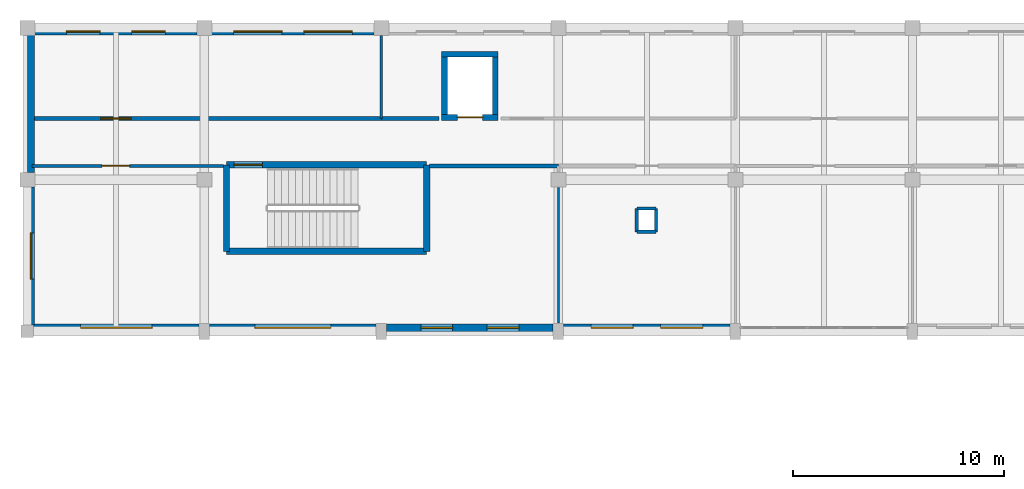
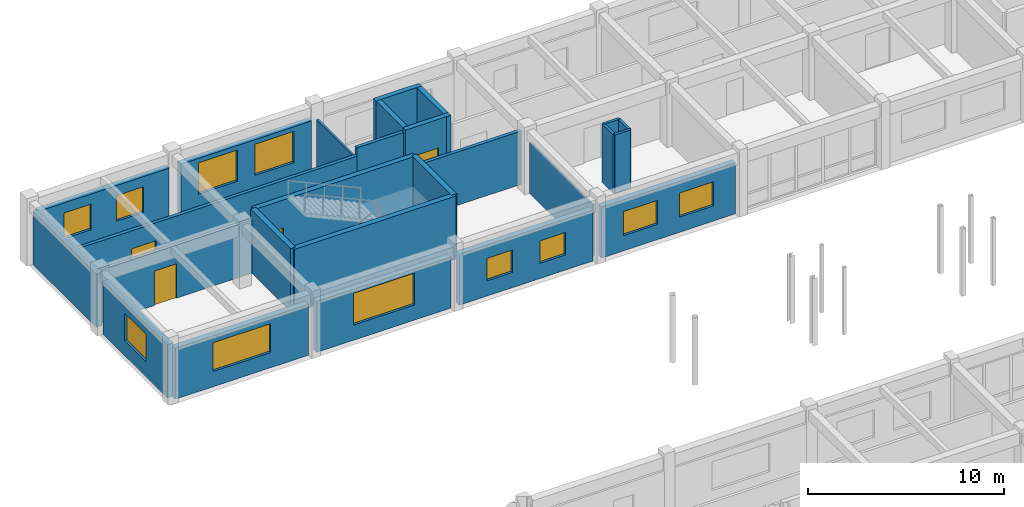
# One storey, part 74 of 90: 26 walls, 11 windows, 4 doors, 15 openings.
"""IFC4 building model written with IfcOpenShell, lengths in metres."""

from ifc_helpers import new_model, si_unit, direction, frame, frame_2d, origin, place, context, subcontext, project, spatial, rectangle, extrude, material, layer, layer_set, type_object, element, fill, save


model = new_model("IFC4")

# Units and contexts
model_context = context("Model", 3, precision=1e-05, world=origin(), true_north=direction((0.0, 1.0)))
body_context = subcontext(model_context, "Body", "Model", "MODEL_VIEW")
ifc_project = project(units=[si_unit("LENGTHUNIT", "METRE"), si_unit("AREAUNIT", "SQUARE_METRE"), si_unit("VOLUMEUNIT", "CUBIC_METRE"), si_unit("PLANEANGLEUNIT", "RADIAN"), si_unit("MASSUNIT", "GRAM", prefix="KILO")], contexts=[model_context])

# Site, building, storey
site_placement = place(None, origin())
site = spatial("IfcSite", under=ifc_project, at=site_placement, CompositionType="ELEMENT")
building_placement = place(site_placement, origin())
building = spatial("IfcBuilding", under=site, at=building_placement, Name="Malvenik Polytechnic", CompositionType="ELEMENT")
storey_placement = place(building_placement, frame((0.0, 0.0, 9.300048828125)))
storey = spatial("IfcBuildingStorey", under=building, at=storey_placement, Name="L02", CompositionType="ELEMENT", Elevation=9.300048828125)

# Wall, opening, door
ifc_material_1 = material(Name="Concrete C35/45", Category="concrete")
ifc_layer_1 = layer(ifc_material_1, 0.280029296875)
ifc_layer_set_1 = layer_set([ifc_layer_1], Name="Concrete C35/45")
wall_type_1 = type_object("IfcWallType", Name="ARC-CW-S280", PredefinedType="SHEAR", material=ifc_layer_set_1)
wall_1_placement = place(storey_placement, frame((22.340087890625, 125.35009765625, 0.0), z_axis=(0.0, 0.0, 1.0), x_axis=(-1.0, 0.0, 0.0)))
wall_1 = element("IfcWall", 1, at=wall_1_placement, inside=storey, type_object=wall_type_1, Name="Lift Shaft Shear Wall LS-01 L02 -Y", PredefinedType="SHEAR", context=body_context, shape_type="SweptSolid", body=[
    extrude(rectangle(XDim=2.68017578125, YDim=0.280029296875, at=frame_2d((1.340087890625, 0.0))), origin(), (0.0, 0.0, 1.0), 3.93994140625),
])
opening_1_placement = place(wall_1_placement, frame((0.739990234375, 0.0, 0.0)))
opening_1 = element("IfcOpeningElement", 2, at=opening_1_placement, cuts=wall_1, Name="Opening LD-02", PredefinedType="OPENING", context=body_context, shape_type="SweptSolid", body=[
    extrude(rectangle(XDim=1.199951171875, YDim=2.14990234375, at=frame_2d((0.60009765625, 1.074951171875))), frame((0.0, 0.14990234375, 0.0), z_axis=(0.0, -1.0, 0.0), x_axis=(1.0, 0.0, 0.0)), (0.0, 0.0, 1.0), 0.300048828125),
])
ifc_material_2 = material(Name="Stainless steel fire-rated sliding lift landing door", Category="steel")
door_type_1 = type_object("IfcDoorType", Name="ARC-LDR-LD-02", OperationType="NOTDEFINED", PredefinedType="DOOR", material=ifc_material_2)
door_1_placement = place(opening_1_placement, origin())
door_1 = element("IfcDoor", 3, at=door_1_placement, inside=storey, type_object=door_type_1, Name="Lift Sliding Landing Door LS-01 L02", OperationType="DOUBLE_DOOR_SLIDING", OverallHeight=2.14990234375, OverallWidth=1.199951171875, PredefinedType="DOOR", context=body_context, shape_type="SweptSolid", body=[
    extrude(rectangle(XDim=1.199951171875, YDim=2.14990234375, at=frame_2d((0.60009765625, 1.074951171875))), frame((0.0, 0.02490234375, 0.0), z_axis=(0.0, -1.0, 0.0), x_axis=(1.0, 0.0, 0.0)), (0.0, 0.0, 1.0), 0.050048828125),
])
fill(opening_1, door_1)

# Walls
wall_2_placement = place(storey_placement, frame((19.659912109375, 128.35009765625, 0.0), z_axis=(0.0, 0.0, 1.0), x_axis=(1.0, 0.0, 0.0)))
element("IfcWall", 4, at=wall_2_placement, inside=storey, type_object=wall_type_1, Name="Lift Shaft Shear Wall LS-01 L02 +Y", PredefinedType="SHEAR", context=body_context, shape_type="SweptSolid", body=[
    extrude(rectangle(XDim=2.68017578125, YDim=0.280029296875, at=frame_2d((1.340087890625, 0.0))), origin(), (0.0, 0.0, 1.0), 3.93994140625),
])
for number, where, z_axis, x_axis, name in (
    (5, (19.800048828125, 125.2099609375, 0.0), (0.0, 0.0, 1.0), (0.0, 1.0, 0.0), "Lift Shaft Shear Wall LS-01 L02 -X"),
    (6, (22.199951171875, 128.489990234375, 0.0), (0.0, 0.0, 1.0), (0.0, -1.0, 0.0), "Lift Shaft Shear Wall LS-01 L02 +X"),
):
    element("IfcWall", number, at=place(storey_placement, frame(where, z_axis=z_axis, x_axis=x_axis)), inside=storey, type_object=wall_type_1, Name=name, PredefinedType="SHEAR", context=body_context, shape_type="SweptSolid", body=[
        extrude(rectangle(XDim=3.280029296875, YDim=0.280029296875, at=frame_2d((1.64013671875, 0.0))), origin(), (0.0, 0.0, 1.0), 3.93994140625),
    ])
ifc_layer_2 = layer(ifc_material_1, 0.300048828125)
ifc_layer_set_2 = layer_set([ifc_layer_2], Name="Concrete C35/45")
wall_type_2 = type_object("IfcWallType", Name="ARC-CW-S300", PredefinedType="SHEAR", material=ifc_layer_set_2)
wall_3_placement = place(storey_placement, frame((9.449951171875, 119.0, 0.0), z_axis=(0.0, 0.0, 1.0), x_axis=(0.0, 1.0, 0.0)))
element("IfcWall", 7, at=wall_3_placement, inside=storey, type_object=wall_type_2, Name="Stair Core Shear Wall ST-01 L02 NEAR", PredefinedType="SHEAR", context=body_context, shape_type="SweptSolid", body=[
    extrude(rectangle(XDim=4.10009765625, YDim=0.300048828125, at=frame_2d((2.050048828125, 0.0))), origin(), (0.0, 0.0, 1.0), 3.93994140625),
])

# Wall, opening, door
wall_4_placement = place(storey_placement, frame((9.449951171875, 123.10009765625, 0.0), z_axis=(0.0, 0.0, 1.0), x_axis=(1.0, 0.0, 0.0)))
wall_4 = element("IfcWall", 8, at=wall_4_placement, inside=storey, type_object=wall_type_2, Name="Stair Core Shear Wall ST-01 L02 RGHT", PredefinedType="SHEAR", context=body_context, shape_type="SweptSolid", body=[
    extrude(rectangle(XDim=9.5, YDim=0.300048828125, at=frame_2d((4.75, 0.0))), origin(), (0.0, 0.0, 1.0), 3.93994140625),
])
opening_2_placement = place(wall_4_placement, frame((0.35009765625, 0.0, 0.0)))
opening_2 = element("IfcOpeningElement", 9, at=opening_2_placement, cuts=wall_4, Name="Opening SD-01", PredefinedType="OPENING", context=body_context, shape_type="SweptSolid", body=[
    extrude(rectangle(XDim=1.35009765625, YDim=2.199951171875, at=frame_2d((0.675048828125, 1.10009765625))), frame((0.0, 0.16015625, 0.0), z_axis=(0.0, -1.0, 0.0), x_axis=(1.0, 0.0, 0.0)), (0.0, 0.0, 1.0), 0.320068359375),
])
ifc_material_3 = material(Name="Fire-rated steel stair enclosure door", Category="steel")
door_type_2 = type_object("IfcDoorType", Name="ARC-IDR-SD-01", OperationType="NOTDEFINED", PredefinedType="DOOR", material=ifc_material_3)
door_2_placement = place(opening_2_placement, origin())
door_2 = element("IfcDoor", 10, at=door_2_placement, inside=storey, type_object=door_type_2, Name="Fire Stair Door ST-01 L02", OperationType="SINGLE_SWING_LEFT", OverallHeight=2.199951171875, OverallWidth=1.35009765625, PredefinedType="DOOR", context=body_context, shape_type="SweptSolid", body=[
    extrude(rectangle(XDim=1.35009765625, YDim=2.199951171875, at=frame_2d((0.675048828125, 1.10009765625))), frame((0.0, 0.02490234375, 0.0), z_axis=(0.0, -1.0, 0.0), x_axis=(1.0, 0.0, 0.0)), (0.0, 0.0, 1.0), 0.050048828125),
])
fill(opening_2, door_2)

# Walls
wall_5_placement = place(storey_placement, frame((18.949951171875, 123.10009765625, 0.0), z_axis=(0.0, 0.0, 1.0), x_axis=(0.0, -1.0, 0.0)))
element("IfcWall", 11, at=wall_5_placement, inside=storey, type_object=wall_type_2, Name="Stair Core Shear Wall ST-01 L02 FAR", PredefinedType="SHEAR", context=body_context, shape_type="SweptSolid", body=[
    extrude(rectangle(XDim=4.10009765625, YDim=0.300048828125, at=frame_2d((2.050048828125, 0.0))), origin(), (0.0, 0.0, 1.0), 3.93994140625),
])
wall_6_placement = place(storey_placement, frame((18.949951171875, 119.0, 0.0), z_axis=(0.0, 0.0, 1.0), x_axis=(-1.0, 0.0, 0.0)))
element("IfcWall", 12, at=wall_6_placement, inside=storey, type_object=wall_type_2, Name="Stair Core Shear Wall ST-01 L02 LEFT", PredefinedType="SHEAR", context=body_context, shape_type="SweptSolid", body=[
    extrude(rectangle(XDim=9.5, YDim=0.300048828125, at=frame_2d((4.75, 0.0))), origin(), (0.0, 0.0, 1.0), 3.93994140625),
])

# Wall, openings, windows
ifc_material_4 = material(Name="Concrete C30/37", Category="concrete")
ifc_layer_3 = layer(ifc_material_4, 0.340087890625)
ifc_layer_set_3 = layer_set([ifc_layer_3], Name="Concrete C30/37")
wall_type_3 = type_object("IfcWallType", Name="ARC-EW-340", PredefinedType="SOLIDWALL", material=ifc_layer_set_3)
wall_7_placement = place(storey_placement, frame((33.35205078125, 115.3701171875, 0.0), z_axis=(0.0, 0.0, 1.0), x_axis=(-1.0, 0.0, 0.0)))
wall_7 = element("IfcWall", 13, at=wall_7_placement, inside=storey, type_object=wall_type_3, Name="External Facade Wall EW-02 L02 #330", PredefinedType="SOLIDWALL", context=body_context, shape_type="SweptSolid", body=[
    extrude(rectangle(XDim=7.904052734375, YDim=0.340087890625, at=frame_2d((3.9521484375, 0.0))), origin(), (0.0, 0.0, 1.0), 3.179931640625),
])
opening_3_placement = place(wall_7_placement, frame((1.30126953125, 0.0, 0.949951171875)))
opening_3 = element("IfcOpeningElement", 14, at=opening_3_placement, cuts=wall_7, Name="Opening W-13", PredefinedType="OPENING", context=body_context, shape_type="SweptSolid", body=[
    extrude(rectangle(XDim=2.0, YDim=1.5, at=frame_2d((1.0, 0.75))), frame((0.0, 0.18017578125, 0.0), z_axis=(0.0, -1.0, 0.0), x_axis=(1.0, 0.0, 0.0)), (0.0, 0.0, 1.0), 0.360107421875),
])
opening_4_placement = place(wall_7_placement, frame((4.6025390625, 0.0, 0.949951171875)))
opening_4 = element("IfcOpeningElement", 15, at=opening_4_placement, cuts=wall_7, Name="Opening W-13", PredefinedType="OPENING", context=body_context, shape_type="SweptSolid", body=[
    extrude(rectangle(XDim=2.0, YDim=1.5, at=frame_2d((1.0, 0.75))), frame((0.0, 0.18017578125, 0.0), z_axis=(0.0, -1.0, 0.0), x_axis=(1.0, 0.0, 0.0)), (0.0, 0.0, 1.0), 0.360107421875),
])
ifc_material_5 = material(Name="Thermally broken aluminium frame with low-E double glazing", Category="aluminium")
window_type_1 = type_object("IfcWindowType", Name="ARC-WIN-W-13", PartitioningType="SINGLE_PANEL", PredefinedType="WINDOW", material=ifc_material_5)
window_1_placement = place(opening_3_placement, origin())
window_1 = element("IfcWindow", 16, at=window_1_placement, inside=storey, type_object=window_type_1, Name="Punched Window W-13 L02 #317", OverallHeight=1.5, OverallWidth=2.0, PartitioningType="SINGLE_PANEL", PredefinedType="WINDOW", context=body_context, shape_type="SweptSolid", body=[
    extrude(rectangle(XDim=2.0, YDim=1.5, at=frame_2d((1.0, 0.75))), frame((0.0, 0.030029296875, 0.0), z_axis=(0.0, -1.0, 0.0), x_axis=(1.0, 0.0, 0.0)), (0.0, 0.0, 1.0), 0.06005859375),
])
fill(opening_3, window_1)
window_2_placement = place(opening_4_placement, origin())
window_2 = element("IfcWindow", 17, at=window_2_placement, inside=storey, type_object=window_type_1, Name="Punched Window W-13 L02 #318", OverallHeight=1.5, OverallWidth=2.0, PartitioningType="SINGLE_PANEL", PredefinedType="WINDOW", context=body_context, shape_type="SweptSolid", body=[
    extrude(rectangle(XDim=2.0, YDim=1.5, at=frame_2d((1.0, 0.75))), frame((0.0, 0.030029296875, 0.0), z_axis=(0.0, -1.0, 0.0), x_axis=(1.0, 0.0, 0.0)), (0.0, 0.0, 1.0), 0.06005859375),
])
fill(opening_4, window_2)

wall_8_placement = place(storey_placement, frame((24.951904296875, 115.3701171875, 0.0), z_axis=(0.0, 0.0, 1.0), x_axis=(-1.0, 0.0, 0.0)))
wall_8 = element("IfcWall", 18, at=wall_8_placement, inside=storey, type_object=wall_type_3, Name="External Facade Wall EW-02 L02 #331", PredefinedType="SOLIDWALL", context=body_context, shape_type="SweptSolid", body=[
    extrude(rectangle(XDim=7.90380859375, YDim=0.340087890625, at=frame_2d((3.951904296875, 0.0))), origin(), (0.0, 0.0, 1.0), 3.179931640625),
])
opening_5_placement = place(wall_8_placement, frame((1.634765625, 0.0, 0.949951171875)))
opening_5 = element("IfcOpeningElement", 19, at=opening_5_placement, cuts=wall_8, Name="Opening W-15", PredefinedType="OPENING", context=body_context, shape_type="SweptSolid", body=[
    extrude(rectangle(XDim=1.5, YDim=1.39990234375, at=frame_2d((0.75, 0.699951171875))), frame((0.0, 0.18017578125, 0.0), z_axis=(0.0, -1.0, 0.0), x_axis=(1.0, 0.0, 0.0)), (0.0, 0.0, 1.0), 0.360107421875),
])
opening_6_placement = place(wall_8_placement, frame((4.769287109375, 0.0, 0.949951171875)))
opening_6 = element("IfcOpeningElement", 20, at=opening_6_placement, cuts=wall_8, Name="Opening W-15", PredefinedType="OPENING", context=body_context, shape_type="SweptSolid", body=[
    extrude(rectangle(XDim=1.5, YDim=1.39990234375, at=frame_2d((0.75, 0.699951171875))), frame((0.0, 0.18017578125, 0.0), z_axis=(0.0, -1.0, 0.0), x_axis=(1.0, 0.0, 0.0)), (0.0, 0.0, 1.0), 0.360107421875),
])
window_type_2 = type_object("IfcWindowType", Name="ARC-WIN-W-15", PartitioningType="SINGLE_PANEL", PredefinedType="WINDOW", material=ifc_material_5)
window_3_placement = place(opening_5_placement, origin())
window_3 = element("IfcWindow", 21, at=window_3_placement, inside=storey, type_object=window_type_2, Name="Punched Window W-15 L02 #319", OverallHeight=1.39990234375, OverallWidth=1.5, PartitioningType="SINGLE_PANEL", PredefinedType="WINDOW", context=body_context, shape_type="SweptSolid", body=[
    extrude(rectangle(XDim=1.5, YDim=1.39990234375, at=frame_2d((0.75, 0.699951171875))), frame((0.0, 0.030029296875, 0.0), z_axis=(0.0, -1.0, 0.0), x_axis=(1.0, 0.0, 0.0)), (0.0, 0.0, 1.0), 0.06005859375),
])
fill(opening_5, window_3)
window_4_placement = place(opening_6_placement, origin())
window_4 = element("IfcWindow", 22, at=window_4_placement, inside=storey, type_object=window_type_2, Name="Punched Window W-15 L02 #320", OverallHeight=1.39990234375, OverallWidth=1.5, PartitioningType="SINGLE_PANEL", PredefinedType="WINDOW", context=body_context, shape_type="SweptSolid", body=[
    extrude(rectangle(XDim=1.5, YDim=1.39990234375, at=frame_2d((0.75, 0.699951171875))), frame((0.0, 0.030029296875, 0.0), z_axis=(0.0, -1.0, 0.0), x_axis=(1.0, 0.0, 0.0)), (0.0, 0.0, 1.0), 0.06005859375),
])
fill(opening_6, window_4)

# Wall, opening, window
wall_9_placement = place(storey_placement, frame((16.552001953125, 115.3701171875, 0.0), z_axis=(0.0, 0.0, 1.0), x_axis=(-1.0, 0.0, 0.0)))
wall_9 = element("IfcWall", 23, at=wall_9_placement, inside=storey, type_object=wall_type_3, Name="External Facade Wall EW-02 L02 #332", PredefinedType="SOLIDWALL", context=body_context, shape_type="SweptSolid", body=[
    extrude(rectangle(XDim=7.904052734375, YDim=0.340087890625, at=frame_2d((3.9521484375, 0.0))), origin(), (0.0, 0.0, 1.0), 3.179931640625),
])
opening_7_placement = place(wall_9_placement, frame((2.152099609375, 0.0, 0.949951171875)))
opening_7 = element("IfcOpeningElement", 24, at=opening_7_placement, cuts=wall_9, Name="Opening W-17", PredefinedType="OPENING", context=body_context, shape_type="SweptSolid", body=[
    extrude(rectangle(XDim=3.60009765625, YDim=1.97998046875, at=frame_2d((1.800048828125, 0.989990234375))), frame((0.0, 0.18017578125, 0.0), z_axis=(0.0, -1.0, 0.0), x_axis=(1.0, 0.0, 0.0)), (0.0, 0.0, 1.0), 0.360107421875),
])
window_type_3 = type_object("IfcWindowType", Name="ARC-WIN-W-17", PartitioningType="SINGLE_PANEL", PredefinedType="WINDOW", material=ifc_material_5)
window_5_placement = place(opening_7_placement, origin())
window_5 = element("IfcWindow", 25, at=window_5_placement, inside=storey, type_object=window_type_3, Name="Punched Window W-17 L02 #321", OverallHeight=1.97998046875, OverallWidth=3.60009765625, PartitioningType="SINGLE_PANEL", PredefinedType="WINDOW", context=body_context, shape_type="SweptSolid", body=[
    extrude(rectangle(XDim=3.60009765625, YDim=1.97998046875, at=frame_2d((1.800048828125, 0.989990234375))), frame((0.0, 0.030029296875, 0.0), z_axis=(0.0, -1.0, 0.0), x_axis=(1.0, 0.0, 0.0)), (0.0, 0.0, 1.0), 0.06005859375),
])
fill(opening_7, window_5)

wall_10_placement = place(storey_placement, frame((8.152099609375, 115.3701171875, 0.0), z_axis=(0.0, 0.0, 1.0), x_axis=(-1.0, 0.0, 0.0)))
wall_10 = element("IfcWall", 26, at=wall_10_placement, inside=storey, type_object=wall_type_3, Name="External Facade Wall EW-02 L02 #333", PredefinedType="SOLIDWALL", context=body_context, shape_type="SweptSolid", body=[
    extrude(rectangle(XDim=7.85400390625, YDim=0.340087890625, at=frame_2d((3.927001953125, 0.0))), origin(), (0.0, 0.0, 1.0), 3.179931640625),
])
opening_8_placement = place(wall_10_placement, frame((2.22705078125, 0.0, 0.949951171875)))
opening_8 = element("IfcOpeningElement", 27, at=opening_8_placement, cuts=wall_10, Name="Opening W-18", PredefinedType="OPENING", context=body_context, shape_type="SweptSolid", body=[
    extrude(rectangle(XDim=3.39990234375, YDim=1.800048828125, at=frame_2d((1.699951171875, 0.89990234375))), frame((0.0, 0.18017578125, 0.0), z_axis=(0.0, -1.0, 0.0), x_axis=(1.0, 0.0, 0.0)), (0.0, 0.0, 1.0), 0.360107421875),
])
window_type_4 = type_object("IfcWindowType", Name="ARC-WIN-W-18", PartitioningType="SINGLE_PANEL", PredefinedType="WINDOW", material=ifc_material_5)
window_6_placement = place(opening_8_placement, origin())
window_6 = element("IfcWindow", 28, at=window_6_placement, inside=storey, type_object=window_type_4, Name="Punched Window W-18 L02 #322", OverallHeight=1.800048828125, OverallWidth=3.39990234375, PartitioningType="SINGLE_PANEL", PredefinedType="WINDOW", context=body_context, shape_type="SweptSolid", body=[
    extrude(rectangle(XDim=3.39990234375, YDim=1.800048828125, at=frame_2d((1.699951171875, 0.89990234375))), frame((0.0, 0.030029296875, 0.0), z_axis=(0.0, -1.0, 0.0), x_axis=(1.0, 0.0, 0.0)), (0.0, 0.0, 1.0), 0.06005859375),
])
fill(opening_8, window_6)

wall_11_placement = place(storey_placement, frame((0.169921875, 115.498046875, 0.0), z_axis=(0.0, 0.0, 1.0), x_axis=(0.0, 1.0, 0.0)))
wall_11 = element("IfcWall", 29, at=wall_11_placement, inside=storey, type_object=wall_type_3, Name="External Facade Wall EW-02 L02 #334", PredefinedType="SOLIDWALL", context=body_context, shape_type="SweptSolid", body=[
    extrude(rectangle(XDim=6.553955078125, YDim=0.340087890625, at=frame_2d((3.27685546875, 0.0))), origin(), (0.0, 0.0, 1.0), 3.329833984375),
])
opening_9_placement = place(wall_11_placement, frame((2.177001953125, 0.0, 0.949951171875)))
opening_9 = element("IfcOpeningElement", 30, at=opening_9_placement, cuts=wall_11, Name="Opening W-19", PredefinedType="OPENING", context=body_context, shape_type="SweptSolid", body=[
    extrude(rectangle(XDim=2.199951171875, YDim=1.699951171875, at=frame_2d((1.10009765625, 0.85009765625))), frame((0.0, 0.18017578125, 0.0), z_axis=(0.0, -1.0, 0.0), x_axis=(1.0, 0.0, 0.0)), (0.0, 0.0, 1.0), 0.360107421875),
])
window_type_5 = type_object("IfcWindowType", Name="ARC-WIN-W-19", PartitioningType="SINGLE_PANEL", PredefinedType="WINDOW", material=ifc_material_5)
window_7_placement = place(opening_9_placement, origin())
window_7 = element("IfcWindow", 31, at=window_7_placement, inside=storey, type_object=window_type_5, Name="Punched Window W-19 L02 #323", OverallHeight=1.699951171875, OverallWidth=2.199951171875, PartitioningType="SINGLE_PANEL", PredefinedType="WINDOW", context=body_context, shape_type="SweptSolid", body=[
    extrude(rectangle(XDim=2.199951171875, YDim=1.699951171875, at=frame_2d((1.10009765625, 0.85009765625))), frame((0.0, 0.030029296875, 0.0), z_axis=(0.0, -1.0, 0.0), x_axis=(1.0, 0.0, 0.0)), (0.0, 0.0, 1.0), 0.06005859375),
])
fill(opening_9, window_7)

# Wall
wall_12_placement = place(storey_placement, frame((0.169921875, 122.748046875, 0.0), z_axis=(0.0, 0.0, 1.0), x_axis=(0.0, 1.0, 0.0)))
element("IfcWall", 32, at=wall_12_placement, inside=storey, type_object=wall_type_3, Name="External Facade Wall EW-02 L02 #335", PredefinedType="SOLIDWALL", context=body_context, shape_type="SweptSolid", body=[
    extrude(rectangle(XDim=6.50390625, YDim=0.340087890625, at=frame_2d((3.251953125, 0.0))), origin(), (0.0, 0.0, 1.0), 3.329833984375),
])

# Wall, openings, windows
wall_13_placement = place(storey_placement, frame((0.347900390625, 129.429931640625, 0.0), z_axis=(0.0, 0.0, 1.0), x_axis=(1.0, 0.0, 0.0)))
wall_13 = element("IfcWall", 33, at=wall_13_placement, inside=storey, type_object=wall_type_3, Name="External Facade Wall EW-02 L02 #336", PredefinedType="SOLIDWALL", context=body_context, shape_type="SweptSolid", body=[
    extrude(rectangle(XDim=7.7041015625, YDim=0.340087890625, at=frame_2d((3.85205078125, 0.0))), origin(), (0.0, 0.0, 1.0), 3.179931640625),
])
opening_10_placement = place(wall_13_placement, frame((1.501220703125, 0.0, 0.949951171875)))
opening_10 = element("IfcOpeningElement", 34, at=opening_10_placement, cuts=wall_13, Name="Opening W-20", PredefinedType="OPENING", context=body_context, shape_type="SweptSolid", body=[
    extrude(rectangle(XDim=1.60009765625, YDim=1.60009765625, at=frame_2d((0.800048828125, 0.800048828125))), frame((0.0, 0.18017578125, 0.0), z_axis=(0.0, -1.0, 0.0), x_axis=(1.0, 0.0, 0.0)), (0.0, 0.0, 1.0), 0.360107421875),
])
opening_11_placement = place(wall_13_placement, frame((4.6025390625, 0.0, 0.949951171875)))
opening_11 = element("IfcOpeningElement", 35, at=opening_11_placement, cuts=wall_13, Name="Opening W-20", PredefinedType="OPENING", context=body_context, shape_type="SweptSolid", body=[
    extrude(rectangle(XDim=1.60009765625, YDim=1.60009765625, at=frame_2d((0.800048828125, 0.800048828125))), frame((0.0, 0.18017578125, 0.0), z_axis=(0.0, -1.0, 0.0), x_axis=(1.0, 0.0, 0.0)), (0.0, 0.0, 1.0), 0.360107421875),
])
window_type_6 = type_object("IfcWindowType", Name="ARC-WIN-W-20", PartitioningType="SINGLE_PANEL", PredefinedType="WINDOW", material=ifc_material_5)
window_8_placement = place(opening_10_placement, origin())
window_8 = element("IfcWindow", 36, at=window_8_placement, inside=storey, type_object=window_type_6, Name="Punched Window W-20 L02 #324", OverallHeight=1.60009765625, OverallWidth=1.60009765625, PartitioningType="SINGLE_PANEL", PredefinedType="WINDOW", context=body_context, shape_type="SweptSolid", body=[
    extrude(rectangle(XDim=1.60009765625, YDim=1.60009765625, at=frame_2d((0.800048828125, 0.800048828125))), frame((0.0, 0.030029296875, 0.0), z_axis=(0.0, -1.0, 0.0), x_axis=(1.0, 0.0, 0.0)), (0.0, 0.0, 1.0), 0.06005859375),
])
fill(opening_10, window_8)
window_9_placement = place(opening_11_placement, origin())
window_9 = element("IfcWindow", 37, at=window_9_placement, inside=storey, type_object=window_type_6, Name="Punched Window W-20 L02 #325", OverallHeight=1.60009765625, OverallWidth=1.60009765625, PartitioningType="SINGLE_PANEL", PredefinedType="WINDOW", context=body_context, shape_type="SweptSolid", body=[
    extrude(rectangle(XDim=1.60009765625, YDim=1.60009765625, at=frame_2d((0.800048828125, 0.800048828125))), frame((0.0, 0.030029296875, 0.0), z_axis=(0.0, -1.0, 0.0), x_axis=(1.0, 0.0, 0.0)), (0.0, 0.0, 1.0), 0.06005859375),
])
fill(opening_11, window_9)

wall_14_placement = place(storey_placement, frame((8.748046875, 129.429931640625, 0.0), z_axis=(0.0, 0.0, 1.0), x_axis=(1.0, 0.0, 0.0)))
wall_14 = element("IfcWall", 38, at=wall_14_placement, inside=storey, type_object=wall_type_3, Name="External Facade Wall EW-02 L02 #337", PredefinedType="SOLIDWALL", context=body_context, shape_type="SweptSolid", body=[
    extrude(rectangle(XDim=7.703857421875, YDim=0.340087890625, at=frame_2d((3.85205078125, 0.0))), origin(), (0.0, 0.0, 1.0), 3.179931640625),
])
opening_12_placement = place(wall_14_placement, frame((1.03466796875, 0.0, 0.949951171875)))
opening_12 = element("IfcOpeningElement", 39, at=opening_12_placement, cuts=wall_14, Name="Opening W-22", PredefinedType="OPENING", context=body_context, shape_type="SweptSolid", body=[
    extrude(rectangle(XDim=2.300048828125, YDim=1.949951171875, at=frame_2d((1.14990234375, 0.97509765625))), frame((0.0, 0.18017578125, 0.0), z_axis=(0.0, -1.0, 0.0), x_axis=(1.0, 0.0, 0.0)), (0.0, 0.0, 1.0), 0.360107421875),
])
opening_13_placement = place(wall_14_placement, frame((4.369384765625, 0.0, 0.949951171875)))
opening_13 = element("IfcOpeningElement", 40, at=opening_13_placement, cuts=wall_14, Name="Opening W-22", PredefinedType="OPENING", context=body_context, shape_type="SweptSolid", body=[
    extrude(rectangle(XDim=2.300048828125, YDim=1.949951171875, at=frame_2d((1.14990234375, 0.97509765625))), frame((0.0, 0.18017578125, 0.0), z_axis=(0.0, -1.0, 0.0), x_axis=(1.0, 0.0, 0.0)), (0.0, 0.0, 1.0), 0.360107421875),
])
window_type_7 = type_object("IfcWindowType", Name="ARC-WIN-W-22", PartitioningType="SINGLE_PANEL", PredefinedType="WINDOW", material=ifc_material_5)
window_10_placement = place(opening_12_placement, origin())
window_10 = element("IfcWindow", 41, at=window_10_placement, inside=storey, type_object=window_type_7, Name="Punched Window W-22 L02 #326", OverallHeight=1.949951171875, OverallWidth=2.300048828125, PartitioningType="SINGLE_PANEL", PredefinedType="WINDOW", context=body_context, shape_type="SweptSolid", body=[
    extrude(rectangle(XDim=2.300048828125, YDim=1.949951171875, at=frame_2d((1.14990234375, 0.97509765625))), frame((0.0, 0.030029296875, 0.0), z_axis=(0.0, -1.0, 0.0), x_axis=(1.0, 0.0, 0.0)), (0.0, 0.0, 1.0), 0.06005859375),
])
fill(opening_12, window_10)
window_11_placement = place(opening_13_placement, origin())
window_11 = element("IfcWindow", 42, at=window_11_placement, inside=storey, type_object=window_type_7, Name="Punched Window W-22 L02 #327", OverallHeight=1.949951171875, OverallWidth=2.300048828125, PartitioningType="SINGLE_PANEL", PredefinedType="WINDOW", context=body_context, shape_type="SweptSolid", body=[
    extrude(rectangle(XDim=2.300048828125, YDim=1.949951171875, at=frame_2d((1.14990234375, 0.97509765625))), frame((0.0, 0.030029296875, 0.0), z_axis=(0.0, -1.0, 0.0), x_axis=(1.0, 0.0, 0.0)), (0.0, 0.0, 1.0), 0.06005859375),
])
fill(opening_13, window_11)

# Wall, opening, door
ifc_material_6 = material(Name="Calcium silicate fire-rated blockwork 200mm", Category="masonry")
ifc_layer_4 = layer(ifc_material_6, 0.199951171875)
ifc_layer_set_4 = layer_set([ifc_layer_4], Name="Calcium silicate fire-rated blockwork 200mm")
wall_type_4 = type_object("IfcWallType", Name="ARC-FW-200", PredefinedType="SOLIDWALL", material=ifc_layer_set_4)
wall_15_placement = place(storey_placement, frame((0.219970703125, 125.300048828125, 0.0), z_axis=(0.0, 0.0, 1.0), x_axis=(1.0, 0.0, 0.0)))
wall_15 = element("IfcWall", 43, at=wall_15_placement, inside=storey, type_object=wall_type_4, Name="Interior Partition FW-02 L02 #234", PredefinedType="SOLIDWALL", context=body_context, shape_type="SweptSolid", body=[
    extrude(rectangle(XDim=16.580078125, YDim=0.199951171875, at=frame_2d((8.2900390625, 0.0))), origin(), (0.0, 0.0, 1.0), 3.324951171875),
])
opening_14_placement = place(wall_15_placement, frame((3.2548828125, 0.0, 0.0)))
opening_14 = element("IfcOpeningElement", 44, at=opening_14_placement, cuts=wall_15, Name="Opening FD-08", PredefinedType="OPENING", context=body_context, shape_type="SweptSolid", body=[
    extrude(rectangle(XDim=1.449951171875, YDim=2.199951171875, at=frame_2d((0.72509765625, 1.10009765625))), frame((0.0, 0.10986328125, 0.0), z_axis=(0.0, -1.0, 0.0), x_axis=(1.0, 0.0, 0.0)), (0.0, 0.0, 1.0), 0.219970703125),
])
ifc_material_7 = material(Name="Fire-rated seminar corridor door", Category="steel")
door_type_3 = type_object("IfcDoorType", Name="ARC-IDR-FD-08", OperationType="NOTDEFINED", PredefinedType="DOOR", material=ifc_material_7)
door_3_placement = place(opening_14_placement, origin())
door_3 = element("IfcDoor", 45, at=door_3_placement, inside=storey, type_object=door_type_3, Name="Interior Door FD-08 L02 #101", OperationType="SINGLE_SWING_RIGHT", OverallHeight=2.199951171875, OverallWidth=1.449951171875, PredefinedType="DOOR", context=body_context, shape_type="SweptSolid", body=[
    extrude(rectangle(XDim=1.449951171875, YDim=2.199951171875, at=frame_2d((0.72509765625, 1.10009765625))), frame((0.0, 0.02490234375, 0.0), z_axis=(0.0, -1.0, 0.0), x_axis=(1.0, 0.0, 0.0)), (0.0, 0.0, 1.0), 0.050048828125),
])
fill(opening_14, door_3)

# Walls
wall_16_placement = place(storey_placement, frame((16.800048828125, 125.300048828125, 0.0), z_axis=(0.0, 0.0, 1.0), x_axis=(1.0, 0.0, 0.0)))
element("IfcWall", 46, at=wall_16_placement, inside=storey, type_object=wall_type_4, Name="Interior Partition FW-02 L02 #236", PredefinedType="SOLIDWALL", context=body_context, shape_type="SweptSolid", body=[
    extrude(rectangle(XDim=2.72998046875, YDim=0.199951171875, at=frame_2d((1.364990234375, 0.0))), origin(), (0.0, 0.0, 1.0), 3.849853515625),
])
wall_17_placement = place(storey_placement, frame((25.199951171875, 123.050048828125, 0.0), z_axis=(0.0, 0.0, 1.0), x_axis=(-1.0, 0.0, 0.0)))
element("IfcWall", 47, at=wall_17_placement, inside=storey, type_object=wall_type_4, Name="Interior Partition FW-02 L02 #246", PredefinedType="SOLIDWALL", context=body_context, shape_type="SweptSolid", body=[
    extrude(rectangle(XDim=6.10986328125, YDim=0.199951171875, at=frame_2d((3.054931640625, 0.0))), origin(), (0.0, 0.0, 1.0), 3.324951171875),
])
ifc_material_8 = material(Name="Lightweight gypsum partition 110mm", Category="gypsum")
ifc_layer_5 = layer(ifc_material_8, 0.110107421875)
ifc_layer_set_5 = layer_set([ifc_layer_5], Name="Lightweight gypsum partition 110mm")
wall_type_5 = type_object("IfcWallType", Name="ARC-PW-110", PredefinedType="PARTITIONING", material=ifc_layer_set_5)
wall_18_placement = place(storey_placement, frame((25.199951171875, 115.594970703125, 0.0), z_axis=(0.0, 0.0, 1.0), x_axis=(0.0, 1.0, 0.0)))
element("IfcWall", 48, at=wall_18_placement, inside=storey, type_object=wall_type_5, Name="Interior Partition PW-04I L02 #248", PredefinedType="PARTITIONING", context=body_context, shape_type="SweptSolid", body=[
    extrude(rectangle(XDim=6.43505859375, YDim=0.110107421875, at=frame_2d((3.217529296875, 0.0))), origin(), (0.0, 0.0, 1.0), 3.175048828125),
])
ifc_material_9 = material(Name="Metal-stud gypsum board partition 125mm", Category="gypsum")
ifc_layer_6 = layer(ifc_material_9, 0.125)
ifc_layer_set_6 = layer_set([ifc_layer_6], Name="Metal-stud gypsum board partition 125mm")
wall_type_6 = type_object("IfcWallType", Name="ARC-PW-125", PredefinedType="PARTITIONING", material=ifc_layer_set_6)
wall_19_placement = place(storey_placement, frame((16.800048828125, 125.300048828125, 0.0), z_axis=(0.0, 0.0, 1.0), x_axis=(0.0, 1.0, 0.0)))
element("IfcWall", 49, at=wall_19_placement, inside=storey, type_object=wall_type_6, Name="Interior Partition PW-03I L02 #235", PredefinedType="PARTITIONING", context=body_context, shape_type="SweptSolid", body=[
    extrude(rectangle(XDim=3.929931640625, YDim=0.125, at=frame_2d((1.96484375, 0.0))), origin(), (0.0, 0.0, 1.0), 3.175048828125),
])
ifc_material_10 = material(Name="Double-stud acoustic gypsum board partition 160mm", Category="gypsum")
ifc_layer_7 = layer(ifc_material_10, 0.159912109375)
ifc_layer_set_7 = layer_set([ifc_layer_7], Name="Double-stud acoustic gypsum board partition 160mm")
wall_type_7 = type_object("IfcWallType", Name="ARC-PW-160", PredefinedType="PARTITIONING", material=ifc_layer_set_7)
for number, where, z_axis, x_axis, name in (
    (50, (28.919921875, 119.919921875, 0.0), (0.0, 0.0, 1.0), (1.0, 0.0, 0.0), "Riser Shaft Enclosure L02 #28S"),
    (51, (29.830078125, 121.030029296875, 0.0), (0.0, 0.0, 1.0), (-1.0, 0.0, 0.0), "Riser Shaft Enclosure L02 #28N"),
):
    element("IfcWall", number, at=place(storey_placement, frame(where, z_axis=z_axis, x_axis=x_axis)), inside=storey, type_object=wall_type_7, Name=name, PredefinedType="PARTITIONING", context=body_context, shape_type="SweptSolid", body=[
        extrude(rectangle(XDim=0.91015625, YDim=0.159912109375, at=frame_2d((0.455078125, 0.0))), origin(), (0.0, 0.0, 1.0), 3.64990234375),
    ])
for number, where, z_axis, x_axis, name in (
    (52, (28.919921875, 121.030029296875, 0.0), (0.0, 0.0, 1.0), (0.0, -1.0, 0.0), "Riser Shaft Enclosure L02 #28W"),
    (53, (29.830078125, 119.919921875, 0.0), (0.0, 0.0, 1.0), (0.0, 1.0, 0.0), "Riser Shaft Enclosure L02 #28E"),
):
    element("IfcWall", number, at=place(storey_placement, frame(where, z_axis=z_axis, x_axis=x_axis)), inside=storey, type_object=wall_type_7, Name=name, PredefinedType="PARTITIONING", context=body_context, shape_type="SweptSolid", body=[
        extrude(rectangle(XDim=1.110107421875, YDim=0.159912109375, at=frame_2d((0.55517578125, 0.0))), origin(), (0.0, 0.0, 1.0), 3.64990234375),
    ])

# Wall, opening, door
wall_20_placement = place(storey_placement, frame((9.31005859375, 123.050048828125, 0.0), z_axis=(0.0, 0.0, 1.0), x_axis=(-1.0, 0.0, 0.0)))
wall_20 = element("IfcWall", 54, at=wall_20_placement, inside=storey, type_object=wall_type_7, Name="Interior Partition PW-01I L02 #247", PredefinedType="PARTITIONING", context=body_context, shape_type="SweptSolid", body=[
    extrude(rectangle(XDim=9.090087890625, YDim=0.159912109375, at=frame_2d((4.544921875, 0.0))), origin(), (0.0, 0.0, 1.0), 3.324951171875),
])
opening_15_placement = place(wall_20_placement, frame((4.4599609375, 0.0, 0.0)))
opening_15 = element("IfcOpeningElement", 55, at=opening_15_placement, cuts=wall_20, Name="Opening FD-04", PredefinedType="OPENING", context=body_context, shape_type="SweptSolid", body=[
    extrude(rectangle(XDim=1.300048828125, YDim=2.14990234375, at=frame_2d((0.64990234375, 1.074951171875))), frame((0.0, 0.08984375, 0.0), z_axis=(0.0, -1.0, 0.0), x_axis=(1.0, 0.0, 0.0)), (0.0, 0.0, 1.0), 0.179931640625),
])
ifc_material_11 = material(Name="Fire-rated plant room steel door", Category="steel")
door_type_4 = type_object("IfcDoorType", Name="ARC-IDR-FD-04", OperationType="NOTDEFINED", PredefinedType="DOOR", material=ifc_material_11)
door_4_placement = place(opening_15_placement, origin())
door_4 = element("IfcDoor", 56, at=door_4_placement, inside=storey, type_object=door_type_4, Name="Interior Door FD-04 L02 #106", OperationType="SINGLE_SWING_LEFT", OverallHeight=2.14990234375, OverallWidth=1.300048828125, PredefinedType="DOOR", context=body_context, shape_type="SweptSolid", body=[
    extrude(rectangle(XDim=1.300048828125, YDim=2.14990234375, at=frame_2d((0.64990234375, 1.074951171875))), frame((0.0, 0.02490234375, 0.0), z_axis=(0.0, -1.0, 0.0), x_axis=(1.0, 0.0, 0.0)), (0.0, 0.0, 1.0), 0.050048828125),
])
fill(opening_15, door_4)

save(model, "model.ifc")
